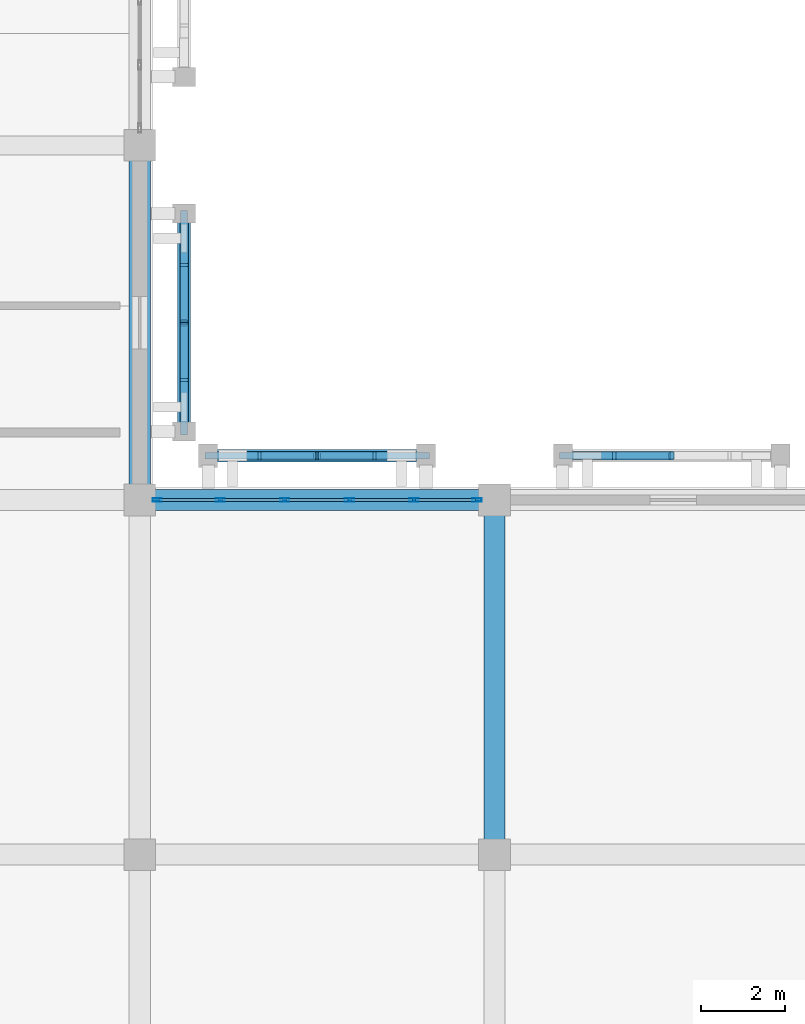
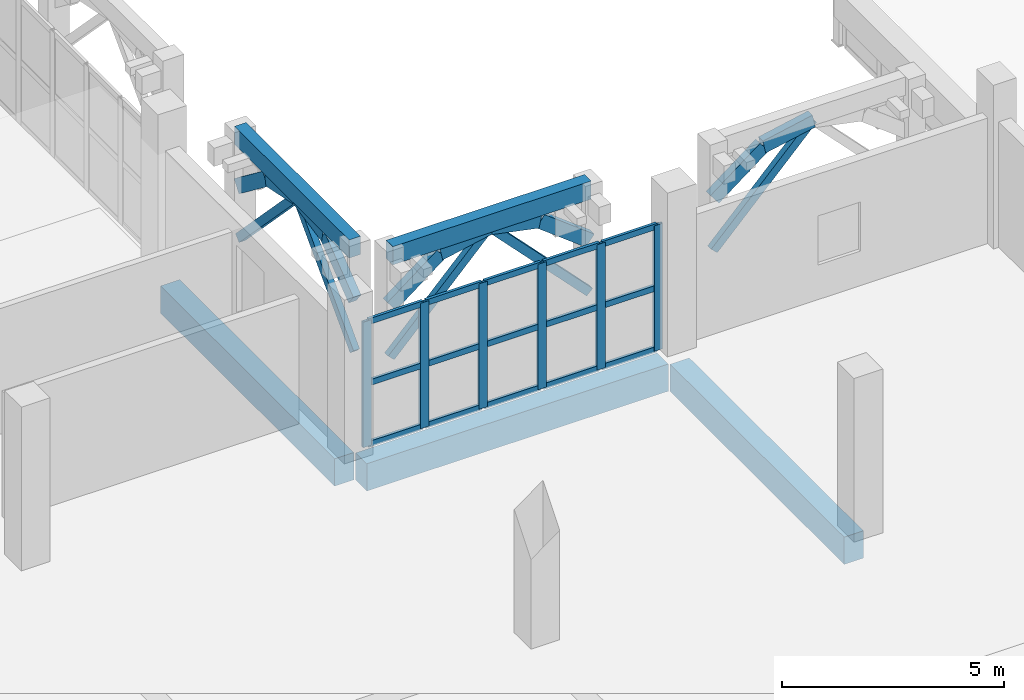
# One storey, part 50 of 114: 36 members, 5 beams, 1 element without a shape of its own.
"""IFC4 building model written with IfcOpenShell, lengths in metres."""

from ifc_helpers import new_model, si_unit, direction, frame, origin, origin_2d, place, context, subcontext, project, spatial, rectangle, hollow_rectangle, extrude, material, layer, layer_set, material_profile, profile_set, type_object, element, aggregate, save


model = new_model("IFC4")

# Units and contexts
model_context = context("Model", 3, precision=1e-05, world=origin(), true_north=direction((0.0, 1.0)))
body_context = subcontext(model_context, "Body", "Model", "MODEL_VIEW")
ifc_project = project(units=[si_unit("LENGTHUNIT", "METRE"), si_unit("AREAUNIT", "SQUARE_METRE"), si_unit("VOLUMEUNIT", "CUBIC_METRE"), si_unit("PLANEANGLEUNIT", "RADIAN"), si_unit("MASSUNIT", "GRAM", prefix="KILO")], contexts=[model_context])

# Site, building, storey
site_placement = place(None, origin())
site = spatial("IfcSite", under=ifc_project, at=site_placement, CompositionType="ELEMENT")
building_placement = place(site_placement, origin())
building = spatial("IfcBuilding", under=site, at=building_placement, Name="Xazarin Passage Department Store", CompositionType="ELEMENT")
storey_placement = place(building_placement, frame((0.0, 0.0, 14.39990234375)))
storey = spatial("IfcBuildingStorey", under=building, at=storey_placement, Name="L03", CompositionType="ELEMENT", Elevation=14.39990234375)

# Curtain wall, members
ifc_material_1 = material(Name="Bronze anodised aluminium", Category="aluminium")
ifc_layer = layer(ifc_material_1, 0.199951171875)
ifc_layer_set = layer_set([ifc_layer], Name="Bronze anodised aluminium")
curtain_wall_type = type_object("IfcCurtainWallType", Name="ARC-CW-VIT2", PredefinedType="NOTDEFINED", material=ifc_layer_set)
curtain_wall_placement = place(storey_placement, origin())
curtain_wall = element("IfcCurtainWall", 1, at=curtain_wall_placement, inside=storey, type_object=curtain_wall_type, Name="L03 V1 Curtain Wall 059", PredefinedType="NOTDEFINED")
ifc_material_profile_1 = material_profile(ifc_material_1, hollow_rectangle(XDim=0.074951171875, YDim=0.219970703125, WallThickness=0.0048828125, at=origin_2d()), Name="ALU 75x220")
ifc_profile_set_1 = profile_set([ifc_material_profile_1], Name="Bronze anodised aluminium")
member_type_1 = type_object("IfcMemberType", Name="ARC-CWM-75x220", PredefinedType="MULLION", material=ifc_profile_set_1)
member_1_placement = place(storey_placement, frame((50.8125, 84.800048828125, 0.0), z_axis=(0.0, 0.0, 1.0), x_axis=(0.0, 1.0, 0.0)))
member_1 = element("IfcMember", 2, at=member_1_placement, type_object=member_type_1, Name="CW2 mullion 1", PredefinedType="MULLION", context=body_context, shape_type="SweptSolid", body=[
    extrude(hollow_rectangle(XDim=0.074951171875, YDim=0.219970703125, WallThickness=0.0048828125, at=origin_2d()), origin(), (0.0, 0.0, 1.0), 3.4501953125),
])
member_2_placement = place(storey_placement, frame((52.304931640625, 84.800048828125, 0.0), z_axis=(0.0, 0.0, 1.0), x_axis=(0.0, 1.0, 0.0)))
member_2 = element("IfcMember", 3, at=member_2_placement, type_object=member_type_1, Name="CW2 mullion 2", PredefinedType="MULLION", context=body_context, shape_type="SweptSolid", body=[
    extrude(hollow_rectangle(XDim=0.074951171875, YDim=0.219970703125, WallThickness=0.0048828125, at=origin_2d()), origin(), (0.0, 0.0, 1.0), 3.4501953125),
])
member_3_placement = place(storey_placement, frame((53.8349609375, 84.800048828125, 0.0), z_axis=(0.0, 0.0, 1.0), x_axis=(0.0, 1.0, 0.0)))
member_3 = element("IfcMember", 4, at=member_3_placement, type_object=member_type_1, Name="CW2 mullion 3", PredefinedType="MULLION", context=body_context, shape_type="SweptSolid", body=[
    extrude(hollow_rectangle(XDim=0.074951171875, YDim=0.219970703125, WallThickness=0.0048828125, at=origin_2d()), origin(), (0.0, 0.0, 1.0), 3.4501953125),
])
member_4_placement = place(storey_placement, frame((55.364990234375, 84.800048828125, 0.0), z_axis=(0.0, 0.0, 1.0), x_axis=(0.0, 1.0, 0.0)))
member_4 = element("IfcMember", 5, at=member_4_placement, type_object=member_type_1, Name="CW2 mullion 4", PredefinedType="MULLION", context=body_context, shape_type="SweptSolid", body=[
    extrude(hollow_rectangle(XDim=0.074951171875, YDim=0.219970703125, WallThickness=0.0048828125, at=origin_2d()), origin(), (0.0, 0.0, 1.0), 3.4501953125),
])
member_5_placement = place(storey_placement, frame((56.89501953125, 84.800048828125, 0.0), z_axis=(0.0, 0.0, 1.0), x_axis=(0.0, 1.0, 0.0)))
member_5 = element("IfcMember", 6, at=member_5_placement, type_object=member_type_1, Name="CW2 mullion 5", PredefinedType="MULLION", context=body_context, shape_type="SweptSolid", body=[
    extrude(hollow_rectangle(XDim=0.074951171875, YDim=0.219970703125, WallThickness=0.0048828125, at=origin_2d()), origin(), (0.0, 0.0, 1.0), 3.4501953125),
])
member_6_placement = place(storey_placement, frame((58.387451171875, 84.800048828125, 0.0), z_axis=(0.0, 0.0, 1.0), x_axis=(0.0, 1.0, 0.0)))
member_6 = element("IfcMember", 7, at=member_6_placement, type_object=member_type_1, Name="CW2 mullion 6", PredefinedType="MULLION", context=body_context, shape_type="SweptSolid", body=[
    extrude(hollow_rectangle(XDim=0.074951171875, YDim=0.219970703125, WallThickness=0.0048828125, at=origin_2d()), origin(), (0.0, 0.0, 1.0), 3.4501953125),
])
ifc_material_profile_2 = material_profile(ifc_material_1, hollow_rectangle(XDim=0.074951171875, YDim=0.159912109375, WallThickness=0.00439453125, at=origin_2d()), Name="ALU 75x160")
ifc_profile_set_2 = profile_set([ifc_material_profile_2], Name="Bronze anodised aluminium")
member_type_2 = type_object("IfcMemberType", Name="ARC-CWT-75x160", PredefinedType="USERDEFINED", material=ifc_profile_set_2)
member_7_placement = place(storey_placement, frame((50.85009765625, 84.800048828125, 0.03759765625), z_axis=(1.0, 0.0, 0.0), x_axis=(0.0, 1.0, 0.0)))
member_7 = element("IfcMember", 8, at=member_7_placement, type_object=member_type_2, Name="CW2 transom 1.1", ObjectType="TRANSOM", PredefinedType="USERDEFINED", context=body_context, shape_type="SweptSolid", body=[
    extrude(hollow_rectangle(XDim=0.074951171875, YDim=0.159912109375, WallThickness=0.00439453125, at=origin_2d()), origin(), (0.0, 0.0, 1.0), 1.41748046875),
])
member_8_placement = place(storey_placement, frame((50.85009765625, 84.800048828125, 1.72509765625), z_axis=(1.0, 0.0, 0.0), x_axis=(0.0, 1.0, 0.0)))
member_8 = element("IfcMember", 9, at=member_8_placement, type_object=member_type_2, Name="CW2 transom 1.2", ObjectType="TRANSOM", PredefinedType="USERDEFINED", context=body_context, shape_type="SweptSolid", body=[
    extrude(hollow_rectangle(XDim=0.074951171875, YDim=0.159912109375, WallThickness=0.00439453125, at=origin_2d()), origin(), (0.0, 0.0, 1.0), 1.41748046875),
])
member_9_placement = place(storey_placement, frame((50.85009765625, 84.800048828125, 3.41259765625), z_axis=(1.0, 0.0, 0.0), x_axis=(0.0, 1.0, 0.0)))
member_9 = element("IfcMember", 10, at=member_9_placement, type_object=member_type_2, Name="CW2 transom 1.3", ObjectType="TRANSOM", PredefinedType="USERDEFINED", context=body_context, shape_type="SweptSolid", body=[
    extrude(hollow_rectangle(XDim=0.074951171875, YDim=0.159912109375, WallThickness=0.00439453125, at=origin_2d()), origin(), (0.0, 0.0, 1.0), 1.41748046875),
])
member_10_placement = place(storey_placement, frame((52.342529296875, 84.800048828125, 0.03759765625), z_axis=(1.0, 0.0, 0.0), x_axis=(0.0, 1.0, 0.0)))
member_10 = element("IfcMember", 11, at=member_10_placement, type_object=member_type_2, Name="CW2 transom 2.1", ObjectType="TRANSOM", PredefinedType="USERDEFINED", context=body_context, shape_type="SweptSolid", body=[
    extrude(hollow_rectangle(XDim=0.074951171875, YDim=0.159912109375, WallThickness=0.00439453125, at=origin_2d()), origin(), (0.0, 0.0, 1.0), 1.455078125),
])
member_11_placement = place(storey_placement, frame((52.342529296875, 84.800048828125, 1.72509765625), z_axis=(1.0, 0.0, 0.0), x_axis=(0.0, 1.0, 0.0)))
member_11 = element("IfcMember", 12, at=member_11_placement, type_object=member_type_2, Name="CW2 transom 2.2", ObjectType="TRANSOM", PredefinedType="USERDEFINED", context=body_context, shape_type="SweptSolid", body=[
    extrude(hollow_rectangle(XDim=0.074951171875, YDim=0.159912109375, WallThickness=0.00439453125, at=origin_2d()), origin(), (0.0, 0.0, 1.0), 1.455078125),
])
member_12_placement = place(storey_placement, frame((52.342529296875, 84.800048828125, 3.41259765625), z_axis=(1.0, 0.0, 0.0), x_axis=(0.0, 1.0, 0.0)))
member_12 = element("IfcMember", 13, at=member_12_placement, type_object=member_type_2, Name="CW2 transom 2.3", ObjectType="TRANSOM", PredefinedType="USERDEFINED", context=body_context, shape_type="SweptSolid", body=[
    extrude(hollow_rectangle(XDim=0.074951171875, YDim=0.159912109375, WallThickness=0.00439453125, at=origin_2d()), origin(), (0.0, 0.0, 1.0), 1.455078125),
])
member_13_placement = place(storey_placement, frame((53.87255859375, 84.800048828125, 0.03759765625), z_axis=(1.0, 0.0, 0.0), x_axis=(0.0, 1.0, 0.0)))
member_13 = element("IfcMember", 14, at=member_13_placement, type_object=member_type_2, Name="CW2 transom 3.1", ObjectType="TRANSOM", PredefinedType="USERDEFINED", context=body_context, shape_type="SweptSolid", body=[
    extrude(hollow_rectangle(XDim=0.074951171875, YDim=0.159912109375, WallThickness=0.00439453125, at=origin_2d()), origin(), (0.0, 0.0, 1.0), 1.454833984375),
])
member_14_placement = place(storey_placement, frame((53.87255859375, 84.800048828125, 1.72509765625), z_axis=(1.0, 0.0, 0.0), x_axis=(0.0, 1.0, 0.0)))
member_14 = element("IfcMember", 15, at=member_14_placement, type_object=member_type_2, Name="CW2 transom 3.2", ObjectType="TRANSOM", PredefinedType="USERDEFINED", context=body_context, shape_type="SweptSolid", body=[
    extrude(hollow_rectangle(XDim=0.074951171875, YDim=0.159912109375, WallThickness=0.00439453125, at=origin_2d()), origin(), (0.0, 0.0, 1.0), 1.454833984375),
])
member_15_placement = place(storey_placement, frame((53.87255859375, 84.800048828125, 3.41259765625), z_axis=(1.0, 0.0, 0.0), x_axis=(0.0, 1.0, 0.0)))
member_15 = element("IfcMember", 16, at=member_15_placement, type_object=member_type_2, Name="CW2 transom 3.3", ObjectType="TRANSOM", PredefinedType="USERDEFINED", context=body_context, shape_type="SweptSolid", body=[
    extrude(hollow_rectangle(XDim=0.074951171875, YDim=0.159912109375, WallThickness=0.00439453125, at=origin_2d()), origin(), (0.0, 0.0, 1.0), 1.454833984375),
])
member_16_placement = place(storey_placement, frame((55.402587890625, 84.800048828125, 0.03759765625), z_axis=(1.0, 0.0, 0.0), x_axis=(0.0, 1.0, 0.0)))
member_16 = element("IfcMember", 17, at=member_16_placement, type_object=member_type_2, Name="CW2 transom 4.1", ObjectType="TRANSOM", PredefinedType="USERDEFINED", context=body_context, shape_type="SweptSolid", body=[
    extrude(hollow_rectangle(XDim=0.074951171875, YDim=0.159912109375, WallThickness=0.00439453125, at=origin_2d()), origin(), (0.0, 0.0, 1.0), 1.454833984375),
])
member_17_placement = place(storey_placement, frame((55.402587890625, 84.800048828125, 1.72509765625), z_axis=(1.0, 0.0, 0.0), x_axis=(0.0, 1.0, 0.0)))
member_17 = element("IfcMember", 18, at=member_17_placement, type_object=member_type_2, Name="CW2 transom 4.2", ObjectType="TRANSOM", PredefinedType="USERDEFINED", context=body_context, shape_type="SweptSolid", body=[
    extrude(hollow_rectangle(XDim=0.074951171875, YDim=0.159912109375, WallThickness=0.00439453125, at=origin_2d()), origin(), (0.0, 0.0, 1.0), 1.454833984375),
])
member_18_placement = place(storey_placement, frame((55.402587890625, 84.800048828125, 3.41259765625), z_axis=(1.0, 0.0, 0.0), x_axis=(0.0, 1.0, 0.0)))
member_18 = element("IfcMember", 19, at=member_18_placement, type_object=member_type_2, Name="CW2 transom 4.3", ObjectType="TRANSOM", PredefinedType="USERDEFINED", context=body_context, shape_type="SweptSolid", body=[
    extrude(hollow_rectangle(XDim=0.074951171875, YDim=0.159912109375, WallThickness=0.00439453125, at=origin_2d()), origin(), (0.0, 0.0, 1.0), 1.454833984375),
])
member_19_placement = place(storey_placement, frame((56.9326171875, 84.800048828125, 0.03759765625), z_axis=(1.0, 0.0, 0.0), x_axis=(0.0, 1.0, 0.0)))
member_19 = element("IfcMember", 20, at=member_19_placement, type_object=member_type_2, Name="CW2 transom 5.1", ObjectType="TRANSOM", PredefinedType="USERDEFINED", context=body_context, shape_type="SweptSolid", body=[
    extrude(hollow_rectangle(XDim=0.074951171875, YDim=0.159912109375, WallThickness=0.00439453125, at=origin_2d()), origin(), (0.0, 0.0, 1.0), 1.41748046875),
])
member_20_placement = place(storey_placement, frame((56.9326171875, 84.800048828125, 1.72509765625), z_axis=(1.0, 0.0, 0.0), x_axis=(0.0, 1.0, 0.0)))
member_20 = element("IfcMember", 21, at=member_20_placement, type_object=member_type_2, Name="CW2 transom 5.2", ObjectType="TRANSOM", PredefinedType="USERDEFINED", context=body_context, shape_type="SweptSolid", body=[
    extrude(hollow_rectangle(XDim=0.074951171875, YDim=0.159912109375, WallThickness=0.00439453125, at=origin_2d()), origin(), (0.0, 0.0, 1.0), 1.41748046875),
])
member_21_placement = place(storey_placement, frame((56.9326171875, 84.800048828125, 3.41259765625), z_axis=(1.0, 0.0, 0.0), x_axis=(0.0, 1.0, 0.0)))
member_21 = element("IfcMember", 22, at=member_21_placement, type_object=member_type_2, Name="CW2 transom 5.3", ObjectType="TRANSOM", PredefinedType="USERDEFINED", context=body_context, shape_type="SweptSolid", body=[
    extrude(hollow_rectangle(XDim=0.074951171875, YDim=0.159912109375, WallThickness=0.00439453125, at=origin_2d()), origin(), (0.0, 0.0, 1.0), 1.41748046875),
])
aggregate(curtain_wall, [member_1, member_2, member_3, member_4, member_5, member_6, member_7, member_8, member_9, member_10, member_11, member_12, member_13, member_14, member_15, member_16, member_17, member_18, member_19, member_20, member_21])

# Beams
ifc_material_2 = material(Name="Concrete C35/45", Category="concrete")
ifc_material_profile_3 = material_profile(ifc_material_2, rectangle(XDim=0.300048828125, YDim=0.5, at=origin_2d()), Name="RC 300x500")
ifc_profile_set_3 = profile_set([ifc_material_profile_3], Name="Concrete C35/45")
beam_type_1 = type_object("IfcBeamType", Name="STR-BM-LN300x500", PredefinedType="LINTEL", material=ifc_profile_set_3)
beam_1_placement = place(storey_placement, frame((52.02001953125, 85.85009765625, 4.25), z_axis=(1.0, 0.0, 0.0), x_axis=(0.0, 1.0, 0.0)))
element("IfcBeam", 23, at=beam_1_placement, inside=storey, type_object=beam_type_1, Name="L03 V1 Colonnade Spandrel Beam 005", PredefinedType="LINTEL", context=body_context, shape_type="SweptSolid", body=[
    extrude(rectangle(XDim=0.300048828125, YDim=0.5, at=origin_2d()), origin(), (0.0, 0.0, 1.0), 5.159912109375),
])
beam_2_placement = place(storey_placement, frame((51.449951171875, 86.419921875, 4.25), z_axis=(0.0, 1.0, 0.0), x_axis=(-1.0, 0.0, 0.0)))
element("IfcBeam", 24, at=beam_2_placement, inside=storey, type_object=beam_type_1, Name="L03 V1 Colonnade Spandrel Beam 014", PredefinedType="LINTEL", context=body_context, shape_type="SweptSolid", body=[
    extrude(rectangle(XDim=0.300048828125, YDim=0.5, at=origin_2d()), origin(), (0.0, 0.0, 1.0), 5.16015625),
])
ifc_material_profile_4 = material_profile(ifc_material_2, rectangle(XDim=0.5, YDim=0.75, at=origin_2d()), Name="RC 500x750")
ifc_profile_set_4 = profile_set([ifc_material_profile_4], Name="Concrete C35/45")
beam_type_2 = type_object("IfcBeamType", Name="STR-BM-SP500x750", PredefinedType="SPANDREL", material=ifc_profile_set_4)
beam_3_placement = place(storey_placement, frame((50.679931640625, 84.800048828125, -0.6748046875), z_axis=(1.0, 0.0, 0.0), x_axis=(0.0, 1.0, 0.0)))
element("IfcBeam", 25, at=beam_3_placement, inside=storey, type_object=beam_type_2, Name="L03 Grid Beam M/7-8", PredefinedType="SPANDREL", context=body_context, shape_type="SweptSolid", body=[
    extrude(rectangle(XDim=0.5, YDim=0.75, at=origin_2d()), origin(), (0.0, 0.0, 1.0), 7.840087890625),
])
beam_4_placement = place(storey_placement, frame((50.39990234375, 85.080078125, -0.6748046875), z_axis=(0.0, 1.0, 0.0), x_axis=(-1.0, 0.0, 0.0)))
element("IfcBeam", 26, at=beam_4_placement, inside=storey, type_object=beam_type_2, Name="L03 Grid Beam 7/M-N", PredefinedType="SPANDREL", context=body_context, shape_type="SweptSolid", body=[
    extrude(rectangle(XDim=0.5, YDim=0.75, at=origin_2d()), origin(), (0.0, 0.0, 1.0), 7.83984375),
])
beam_5_placement = place(storey_placement, frame((58.800048828125, 76.679931640625, -0.6748046875), z_axis=(0.0, 1.0, 0.0), x_axis=(-1.0, 0.0, 0.0)))
element("IfcBeam", 27, at=beam_5_placement, inside=storey, type_object=beam_type_2, Name="L03 Grid Beam 8/L-M", PredefinedType="SPANDREL", context=body_context, shape_type="SweptSolid", body=[
    extrude(rectangle(XDim=0.5, YDim=0.75, at=origin_2d()), origin(), (0.0, 0.0, 1.0), 7.840087890625),
])

# Members
ifc_material_3 = material(Name="Concrete C40/50", Category="concrete")
ifc_material_profile_5 = material_profile(ifc_material_3, rectangle(XDim=0.199951171875, YDim=0.360107421875, at=origin_2d()), Name="RC 200x360")
ifc_profile_set_5 = profile_set([ifc_material_profile_5], Name="Concrete C40/50")
member_type_3 = type_object("IfcMemberType", Name="STR-MEM-ARC360", PredefinedType="CHORD", material=ifc_profile_set_5)
member_22_placement = place(storey_placement, frame((52.02001953125, 85.85009765625, 2.830078125), z_axis=(0.79440903847, 0.0, 0.607383140692), x_axis=(0.0, 1.0, 0.0)))
element("IfcMember", 28, at=member_22_placement, inside=storey, type_object=member_type_3, Name="L03 V1 Pierced Lattice Curved Arch 005.1", PredefinedType="CHORD", context=body_context, shape_type="SweptSolid", body=[
    extrude(rectangle(XDim=0.199951171875, YDim=0.360107421875, at=origin_2d()), origin(), (0.0, 0.0, 1.0), 1.623779296875),
])
member_23_placement = place(storey_placement, frame((53.31005859375, 85.85009765625, 3.81640625), z_axis=(0.979744705887, 0.0, 0.200250621188), x_axis=(0.0, 1.0, 0.0)))
element("IfcMember", 29, at=member_23_placement, inside=storey, type_object=member_type_3, Name="L03 V1 Pierced Lattice Curved Arch 005.2", PredefinedType="CHORD", context=body_context, shape_type="SweptSolid", body=[
    extrude(rectangle(XDim=0.199951171875, YDim=0.360107421875, at=origin_2d()), origin(), (0.0, 0.0, 1.0), 1.316650390625),
])
member_24_placement = place(storey_placement, frame((54.60009765625, 85.85009765625, 4.080078125), z_axis=(0.979737268571, 0.0, -0.2002870055), x_axis=(0.0, 1.0, 0.0)))
element("IfcMember", 30, at=member_24_placement, inside=storey, type_object=member_type_3, Name="L03 V1 Pierced Lattice Curved Arch 005.3", PredefinedType="CHORD", context=body_context, shape_type="SweptSolid", body=[
    extrude(rectangle(XDim=0.199951171875, YDim=0.360107421875, at=origin_2d()), origin(), (0.0, 0.0, 1.0), 1.31640625),
])
for number, where, z_axis, x_axis, name in (
    (31, (55.889892578125, 85.85009765625, 3.81640625), (0.79440903847, 0.0, -0.607383140692), (0.0, 1.0, 0.0), "L03 V1 Pierced Lattice Curved Arch 005.4"),
    (32, (60.419921875, 85.85009765625, 2.830078125), (0.79440903847, 0.0, 0.607383140692), (0.0, 1.0, 0.0), "L03 V1 Pierced Lattice Curved Arch 007.1"),
):
    element("IfcMember", number, at=place(storey_placement, frame(where, z_axis=z_axis, x_axis=x_axis)), inside=storey, type_object=member_type_3, Name=name, PredefinedType="CHORD", context=body_context, shape_type="SweptSolid", body=[
        extrude(rectangle(XDim=0.199951171875, YDim=0.360107421875, at=origin_2d()), origin(), (0.0, 0.0, 1.0), 1.623779296875),
    ])
member_25_placement = place(storey_placement, frame((61.7099609375, 85.85009765625, 3.81640625), z_axis=(0.979744705887, 0.0, 0.200250621188), x_axis=(0.0, 1.0, 0.0)))
element("IfcMember", 33, at=member_25_placement, inside=storey, type_object=member_type_3, Name="L03 V1 Pierced Lattice Curved Arch 007.2", PredefinedType="CHORD", context=body_context, shape_type="SweptSolid", body=[
    extrude(rectangle(XDim=0.199951171875, YDim=0.360107421875, at=origin_2d()), origin(), (0.0, 0.0, 1.0), 1.316650390625),
])
member_26_placement = place(storey_placement, frame((51.449951171875, 86.419921875, 2.830078125), z_axis=(0.0, 0.79440903847, 0.607383140692), x_axis=(-1.0, 0.0, 0.0)))
element("IfcMember", 34, at=member_26_placement, inside=storey, type_object=member_type_3, Name="L03 V1 Pierced Lattice Curved Arch 014.1", PredefinedType="CHORD", context=body_context, shape_type="SweptSolid", body=[
    extrude(rectangle(XDim=0.199951171875, YDim=0.360107421875, at=origin_2d()), origin(), (0.0, 0.0, 1.0), 1.623779296875),
])
for number, where, z_axis, x_axis, name in (
    (35, (51.449951171875, 87.7099609375, 3.81640625), (0.0, 0.979744705887, 0.200250621188), (-1.0, 0.0, 0.0), "L03 V1 Pierced Lattice Curved Arch 014.2"),
    (36, (51.449951171875, 89.0, 4.080078125), (0.0, 0.979744705887, -0.200250621188), (-1.0, 0.0, 0.0), "L03 V1 Pierced Lattice Curved Arch 014.3"),
):
    element("IfcMember", number, at=place(storey_placement, frame(where, z_axis=z_axis, x_axis=x_axis)), inside=storey, type_object=member_type_3, Name=name, PredefinedType="CHORD", context=body_context, shape_type="SweptSolid", body=[
        extrude(rectangle(XDim=0.199951171875, YDim=0.360107421875, at=origin_2d()), origin(), (0.0, 0.0, 1.0), 1.316650390625),
    ])
member_27_placement = place(storey_placement, frame((51.449951171875, 90.2900390625, 3.81640625), z_axis=(0.0, 0.79440903847, -0.607383140692), x_axis=(-1.0, 0.0, 0.0)))
element("IfcMember", 37, at=member_27_placement, inside=storey, type_object=member_type_3, Name="L03 V1 Pierced Lattice Curved Arch 014.4", PredefinedType="CHORD", context=body_context, shape_type="SweptSolid", body=[
    extrude(rectangle(XDim=0.199951171875, YDim=0.360107421875, at=origin_2d()), origin(), (0.0, 0.0, 1.0), 1.623779296875),
])
ifc_material_profile_6 = material_profile(ifc_material_3, rectangle(XDim=0.159912109375, YDim=0.219970703125, at=origin_2d()), Name="RC 160x220")
ifc_profile_set_6 = profile_set([ifc_material_profile_6], Name="Concrete C40/50")
member_type_4 = type_object("IfcMemberType", Name="STR-MEM-TRC220", PredefinedType="CHORD", material=ifc_profile_set_6)
for number, where, z_axis, x_axis, name in (
    (38, (54.60009765625, 85.85009765625, 4.080078125), (-0.693558444435, 0.0, -0.720400363793), (0.0, -1.0, 0.0), "L03 V1 Upper Lattice Tracery Arch 005L"),
    (39, (54.60009765625, 85.85009765625, 4.080078125), (0.693524382622, 0.0, -0.72043315492), (0.0, 1.0, 0.0), "L03 V1 Upper Lattice Tracery Arch 005R"),
    (40, (63.0, 85.85009765625, 4.080078125), (-0.693558444435, 0.0, -0.720400363793), (0.0, -1.0, 0.0), "L03 V1 Upper Lattice Tracery Arch 007L"),
    (41, (51.449951171875, 89.0, 4.080078125), (0.0, -0.693558444435, -0.720400363793), (1.0, 0.0, 0.0), "L03 V1 Upper Lattice Tracery Arch 014L"),
    (42, (51.449951171875, 89.0, 4.080078125), (0.0, 0.693558444435, -0.720400363793), (-1.0, 0.0, 0.0), "L03 V1 Upper Lattice Tracery Arch 014R"),
):
    element("IfcMember", number, at=place(storey_placement, frame(where, z_axis=z_axis, x_axis=x_axis)), inside=storey, type_object=member_type_4, Name=name, PredefinedType="CHORD", context=body_context, shape_type="SweptSolid", body=[
        extrude(rectangle(XDim=0.159912109375, YDim=0.219970703125, at=origin_2d()), origin(), (0.0, 0.0, 1.0), 3.719970703125),
    ])

save(model, "model.ifc")
